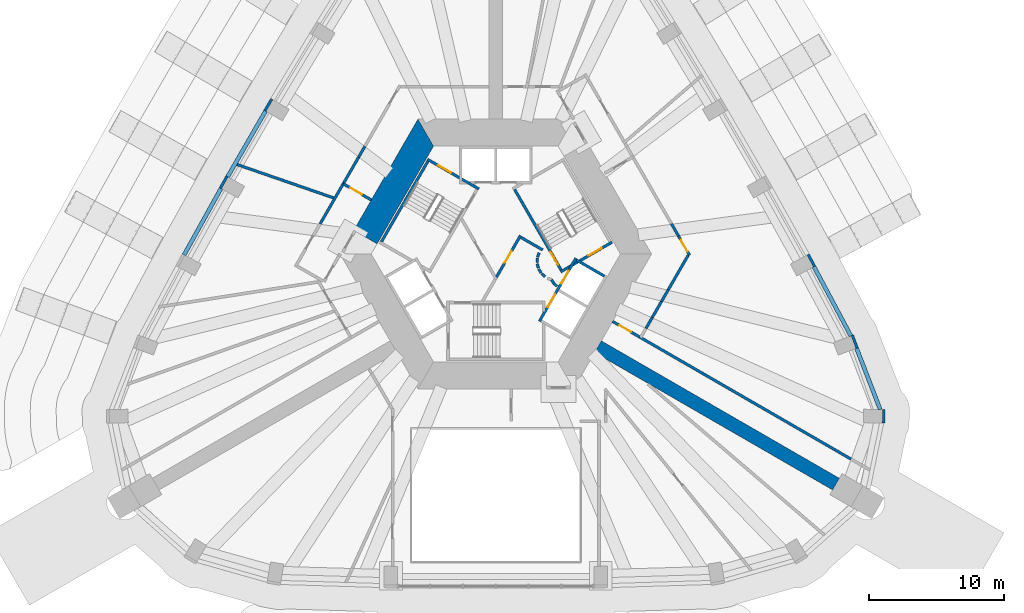
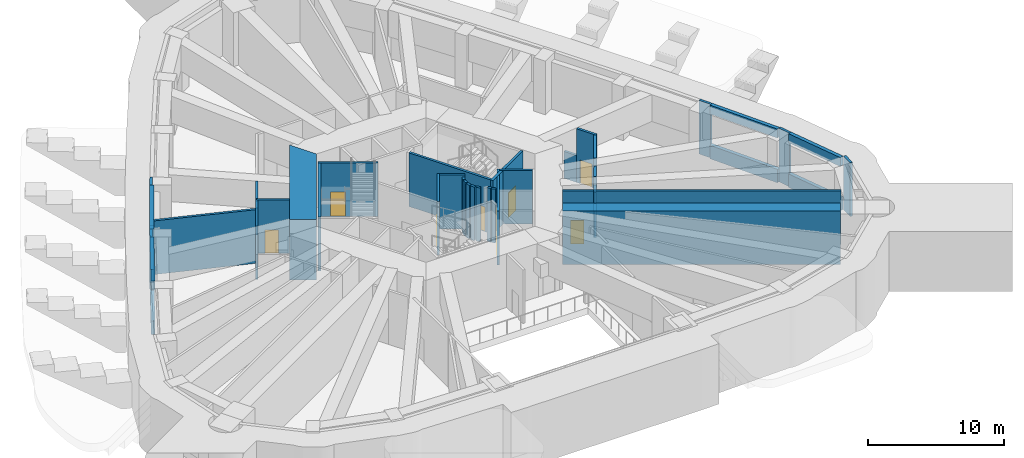
# One storey, part 6 of 16: 43 walls, 9 doors, 9 openings.
"""IFC4 building model written with IfcOpenShell, lengths in metres."""

from ifc_helpers import new_model, si_unit, direction, frame, frame_2d, origin, place, context, subcontext, project, spatial, polyline, rectangle, outline, extrude, material, layer, layer_set, type_object, element, fill, save


model = new_model("IFC4")

# Units and contexts
model_context = context("Model", 3, precision=1e-05, world=origin(), true_north=direction((0.0, 1.0)))
body_context = subcontext(model_context, "Body", "Model", "MODEL_VIEW")
ifc_project = project(units=[si_unit("LENGTHUNIT", "METRE"), si_unit("AREAUNIT", "SQUARE_METRE"), si_unit("VOLUMEUNIT", "CUBIC_METRE"), si_unit("PLANEANGLEUNIT", "RADIAN"), si_unit("MASSUNIT", "GRAM", prefix="KILO")], contexts=[model_context])

# Site, building, storey
site_placement = place(None, origin())
site = spatial("IfcSite", under=ifc_project, at=site_placement, CompositionType="ELEMENT")
building_placement = place(site_placement, origin())
building = spatial("IfcBuilding", under=site, at=building_placement, Name="Entoto Arch Interchange Tower", CompositionType="ELEMENT")
storey_placement = place(building_placement, frame((0.0, 0.0, 281.0)))
storey = spatial("IfcBuildingStorey", under=building, at=storey_placement, Name="L65", CompositionType="ELEMENT", Elevation=281.0)

# Wall
ifc_material_1 = material(Name="Concrete C40/50", Category="concrete")
ifc_layer_1 = layer(ifc_material_1, 2.0)
ifc_layer_set_1 = layer_set([ifc_layer_1], Name="Concrete C40/50")
wall_type_1 = type_object("IfcWallType", Name="Core wall 2000 C40/50", PredefinedType="SHEAR", material=ifc_layer_set_1)
wall_1_placement = place(storey_placement, frame((0.0, 0.0, -0.60009765625)))
element("IfcWall", 1, at=wall_1_placement, inside=storey, type_object=wall_type_1, Name="Core wall NW L65", PredefinedType="SHEAR", context=body_context, shape_type="SweptSolid", body=[
    extrude(outline(polyline([(-10.534912109375, 4.2529296875), (-8.802978515625, 3.2529296875), (-4.618896484375, 10.5), (-5.77392578125, 12.5), (-10.534912109375, 4.2529296875)])), origin(), (0.0, 0.0, 1.0), 5.400146484375),
])

# Wall, openings, doors
ifc_layer_2 = layer(ifc_material_1, 0.199951171875)
ifc_layer_set_2 = layer_set([ifc_layer_2], Name="Concrete C40/50")
wall_type_2 = type_object("IfcWallType", Name="LIFT SHAFT WALL 200", PredefinedType="STANDARD", material=ifc_layer_set_2)
wall_2_placement = place(storey_placement, frame((3.239990234375, -2.488037109375, 0.0), z_axis=(0.0, 0.0, 1.0), x_axis=(0.500034260056, 0.866005622828, 0.0)))
wall_2 = element("IfcWall", 2, at=wall_2_placement, inside=storey, type_object=wall_type_2, Name="Shaft wall SE1 front", PredefinedType="STANDARD", context=body_context, shape_type="SweptSolid", body=[
    extrude(rectangle(XDim=5.3994140625, YDim=0.199951171875, at=frame_2d((2.69970703125, 0.0))), origin(), (0.0, 0.0, 1.0), 4.800048828125),
])
opening_1_placement = place(wall_2_placement, frame((3.22509765625, 0.0, 0.0)))
opening_1 = element("IfcOpeningElement", 3, at=opening_1_placement, cuts=wall_2, Name="Opening LD-HR3-L65", PredefinedType="OPENING", context=body_context, shape_type="SweptSolid", body=[
    extrude(rectangle(XDim=1.10009765625, YDim=2.10009765625, at=frame_2d((0.550048828125, 1.050048828125))), frame((0.0, 0.10986328125, 0.0), z_axis=(0.0, -1.0, 0.0), x_axis=(1.0, 0.0, 0.0)), (0.0, 0.0, 1.0), 0.219970703125),
])
opening_2_placement = place(wall_2_placement, frame((1.22509765625, 0.0, 0.0)))
opening_2 = element("IfcOpeningElement", 4, at=opening_2_placement, cuts=wall_2, Name="Opening LD-FF1-L65", PredefinedType="OPENING", context=body_context, shape_type="SweptSolid", body=[
    extrude(rectangle(XDim=1.10009765625, YDim=2.10009765625, at=frame_2d((0.550048828125, 1.050048828125))), frame((0.0, 0.10986328125, 0.0), z_axis=(0.0, -1.0, 0.0), x_axis=(1.0, 0.0, 0.0)), (0.0, 0.0, 1.0), 0.219970703125),
])
ifc_material_2 = material(Name="Stainless steel 1.4301 panels", Category="steel")
door_type_1 = type_object("IfcDoorType", Name="LIFT LANDING DOOR LD1 1100x2100", OperationType="SLIDING_TO_LEFT", PredefinedType="DOOR", material=ifc_material_2)
door_1_placement = place(opening_1_placement, origin())
door_1 = element("IfcDoor", 5, at=door_1_placement, inside=storey, type_object=door_type_1, Name="Lift landing door HR3 L65", OperationType="SLIDING_TO_LEFT", OverallHeight=2.10009765625, OverallWidth=1.10009765625, PredefinedType="DOOR", context=body_context, shape_type="SweptSolid", body=[
    extrude(rectangle(XDim=1.10009765625, YDim=2.10009765625, at=frame_2d((0.550048828125, 1.050048828125))), frame((0.0, 0.02490234375, 0.0), z_axis=(0.0, -1.0, 0.0), x_axis=(1.0, 0.0, 0.0)), (0.0, 0.0, 1.0), 0.050048828125),
])
fill(opening_1, door_1)
door_2_placement = place(opening_2_placement, origin())
door_2 = element("IfcDoor", 6, at=door_2_placement, inside=storey, type_object=door_type_1, Name="Lift landing door FF1 L65", OperationType="SLIDING_TO_LEFT", OverallHeight=2.10009765625, OverallWidth=1.10009765625, PredefinedType="DOOR", context=body_context, shape_type="SweptSolid", body=[
    extrude(rectangle(XDim=1.10009765625, YDim=2.10009765625, at=frame_2d((0.550048828125, 1.050048828125))), frame((0.0, 0.02490234375, 0.0), z_axis=(0.0, -1.0, 0.0), x_axis=(1.0, 0.0, 0.0)), (0.0, 0.0, 1.0), 0.050048828125),
])
fill(opening_2, door_2)

# Walls
wall_3_placement = place(storey_placement, frame((5.97705078125, 2.052001953125, 0.0), z_axis=(0.0, 0.0, 1.0), x_axis=(0.865973769406, -0.500089422704, 0.0)))
element("IfcWall", 7, at=wall_3_placement, inside=storey, type_object=wall_type_2, Name="Shaft wall SE1 cross 3", PredefinedType="STANDARD", context=body_context, shape_type="SweptSolid", body=[
    extrude(rectangle(XDim=2.3994140625, YDim=0.199951171875, at=frame_2d((1.19970703125, 0.0))), origin(), (0.0, 0.0, 1.0), 4.800048828125),
])
ifc_layer_3 = layer(ifc_material_1, 1.0)
ifc_layer_set_3 = layer_set([ifc_layer_3], Name="Concrete C40/50")
wall_type_3 = type_object("IfcWallType", Name="Outrigger wall 1000 C40/50", PredefinedType="SHEAR", material=ifc_layer_set_3)
wall_4_placement = place(storey_placement, frame((7.577880859375, -4.375, 0.0), z_axis=(0.0, 0.0, 1.0), x_axis=(0.866020754303, -0.500008053052, 0.0)))
element("IfcWall", 8, at=wall_4_placement, inside=storey, type_object=wall_type_3, Name="Outrigger wall SE L65", PredefinedType="SHEAR", context=body_context, shape_type="SweptSolid", body=[
    extrude(rectangle(XDim=20.373779296875, YDim=1.0, at=frame_2d((10.18701171875, 0.0))), origin(), (0.0, 0.0, 1.0), 4.800048828125),
])
ifc_material_3 = material(Name="Gypsum board partition on steel studs", Category="steel")
ifc_layer_4 = layer(ifc_material_3, 0.199951171875)
ifc_layer_set_4 = layer_set([ifc_layer_4], Name="Gypsum board partition on steel studs")
wall_type_4 = type_object("IfcWallType", Name="PARTITION 200", PredefinedType="PARTITIONING", material=ifc_layer_set_4)
wall_5_placement = place(storey_placement, frame((1.865966796875, 3.73193359375, 0.0), z_axis=(0.0, 0.0, 1.0), x_axis=(0.866043361281, -0.499968895414, 0.0)))
element("IfcWall", 9, at=wall_5_placement, inside=storey, type_object=wall_type_4, Name="wall:L65:p002", PredefinedType="PARTITIONING", context=body_context, shape_type="SweptSolid", body=[
    extrude(rectangle(XDim=1.85791015625, YDim=0.199951171875, at=frame_2d((0.928955078125, 0.0))), origin(), (0.0, 0.0, 1.0), 4.800048828125),
])
wall_6_placement = place(storey_placement, frame((3.2080078125, 2.592041015625, 0.0), z_axis=(0.0, 0.0, 1.0), x_axis=(-0.337388820924, -0.941365382578, 0.0)))
element("IfcWall", 10, at=wall_6_placement, inside=storey, type_object=wall_type_4, Name="wall:L65:p003", PredefinedType="PARTITIONING", context=body_context, shape_type="SweptSolid", body=[
    extrude(rectangle(XDim=0.337890625, YDim=0.199951171875, at=frame_2d((0.1689453125, 0.0))), origin(), (0.0, 0.0, 1.0), 4.800048828125),
])
wall_7_placement = place(storey_placement, frame((3.0791015625, 2.198974609375, 0.0), z_axis=(0.0, 0.0, 1.0), x_axis=(-0.047771483479, -0.998858290933, 0.0)))
element("IfcWall", 11, at=wall_7_placement, inside=storey, type_object=wall_type_4, Name="wall:L65:p004", PredefinedType="PARTITIONING", context=body_context, shape_type="SweptSolid", body=[
    extrude(rectangle(XDim=0.33740234375, YDim=0.199951171875, at=frame_2d((0.168701171875, 0.0))), origin(), (0.0, 0.0, 1.0), 4.800048828125),
])
wall_8_placement = place(storey_placement, frame((3.070068359375, 1.785888671875, 0.0), z_axis=(0.0, 0.0, 1.0), x_axis=(0.242705583207, -0.970099994784, 0.0)))
element("IfcWall", 12, at=wall_8_placement, inside=storey, type_object=wall_type_4, Name="wall:L65:p005", PredefinedType="PARTITIONING", context=body_context, shape_type="SweptSolid", body=[
    extrude(rectangle(XDim=0.337890625, YDim=0.199951171875, at=frame_2d((0.1689453125, 0.0))), origin(), (0.0, 0.0, 1.0), 4.800048828125),
])
for number, where, z_axis, x_axis, name in (
    (13, (3.181884765625, 1.387939453125, 0.0), (0.0, 0.0, 1.0), (0.512474702713, -0.85870232274, 0.0), "wall:L65:p006"),
    (14, (3.404052734375, 1.0390625, 0.0), (0.0, 0.0, 1.0), (0.740267097712, -0.672312891476, 0.0), "wall:L65:p007"),
):
    element("IfcWall", number, at=place(storey_placement, frame(where, z_axis=z_axis, x_axis=x_axis)), inside=storey, type_object=wall_type_4, Name=name, PredefinedType="PARTITIONING", context=body_context, shape_type="SweptSolid", body=[
        extrude(rectangle(XDim=0.337646484375, YDim=0.199951171875, at=frame_2d((0.1689453125, 0.0))), origin(), (0.0, 0.0, 1.0), 4.800048828125),
    ])
wall_9_placement = place(storey_placement, frame((4.132080078125, 0.593017578125, 0.0), z_axis=(0.0, 0.0, 1.0), x_axis=(0.513561617048, -0.858052717201, 0.0)))
element("IfcWall", 15, at=wall_9_placement, inside=storey, type_object=wall_type_4, Name="wall:L65:p009", PredefinedType="PARTITIONING", context=body_context, shape_type="SweptSolid", body=[
    extrude(rectangle(XDim=0.3076171875, YDim=0.199951171875, at=frame_2d((0.15380859375, 0.0))), origin(), (0.0, 0.0, 1.0), 4.800048828125),
])
wall_10_placement = place(storey_placement, frame((4.301025390625, 0.31494140625, 0.0), z_axis=(0.0, 0.0, 1.0), x_axis=(0.741798017506, -0.670623367639, 0.0)))
element("IfcWall", 16, at=wall_10_placement, inside=storey, type_object=wall_type_4, Name="wall:L65:p010", PredefinedType="PARTITIONING", context=body_context, shape_type="SweptSolid", body=[
    extrude(rectangle(XDim=0.30859375, YDim=0.199951171875, at=frame_2d((0.154296875, 0.0))), origin(), (0.0, 0.0, 1.0), 4.800048828125),
])

# Wall, opening, door
wall_11_placement = place(storey_placement, frame((0.050048828125, 0.787109375, 0.0), z_axis=(0.0, 0.0, 1.0), x_axis=(0.499954076797, 0.866051915934, 0.0)))
wall_11 = element("IfcWall", 17, at=wall_11_placement, inside=storey, type_object=wall_type_4, Name="wall:L65:p011", PredefinedType="PARTITIONING", context=body_context, shape_type="SweptSolid", body=[
    extrude(rectangle(XDim=3.558349609375, YDim=0.199951171875, at=frame_2d((1.779296875, 0.0))), origin(), (0.0, 0.0, 1.0), 4.800048828125),
])
opening_3_placement = place(wall_11_placement, frame((1.22900390625, 0.0, 0.0)))
opening_3 = element("IfcOpeningElement", 18, at=opening_3_placement, cuts=wall_11, Name="Opening L65-D19", PredefinedType="OPENING", context=body_context, shape_type="SweptSolid", body=[
    extrude(rectangle(XDim=1.0, YDim=2.10009765625, at=frame_2d((0.5, 1.050048828125))), frame((0.0, 0.10986328125, 0.0), z_axis=(0.0, -1.0, 0.0), x_axis=(1.0, 0.0, 0.0)), (0.0, 0.0, 1.0), 0.219970703125),
])
ifc_material_4 = material(Name="Fire-rated Steel S235 door and frame", Category="steel")
door_type_2 = type_object("IfcDoorType", Name="DOOR FD-10 1000x2100", OperationType="SINGLE_SWING_LEFT", PredefinedType="DOOR", material=ifc_material_4)
door_3_placement = place(opening_3_placement, origin())
door_3 = element("IfcDoor", 19, at=door_3_placement, inside=storey, type_object=door_type_2, Name="door:L65:19", OperationType="SINGLE_SWING_RIGHT", OverallHeight=2.10009765625, OverallWidth=1.0, PredefinedType="DOOR", context=body_context, shape_type="SweptSolid", body=[
    extrude(rectangle(XDim=1.0, YDim=2.10009765625, at=frame_2d((0.5, 1.050048828125))), frame((0.0, 0.02490234375, 0.0), z_axis=(0.0, -1.0, 0.0), x_axis=(1.0, 0.0, 0.0)), (0.0, 0.0, 1.0), 0.050048828125),
])
fill(opening_3, door_3)

wall_12_placement = place(storey_placement, frame((10.652099609375, -3.64990234375, 0.0), z_axis=(0.0, 0.0, 1.0), x_axis=(-0.866079547155, 0.499906209203, 0.0)))
wall_12 = element("IfcWall", 20, at=wall_12_placement, inside=storey, type_object=wall_type_4, Name="wall:L65:p025", PredefinedType="PARTITIONING", context=body_context, shape_type="SweptSolid", body=[
    extrude(rectangle(XDim=2.30029296875, YDim=0.199951171875, at=frame_2d((1.150146484375, 0.0))), origin(), (0.0, 0.0, 1.0), 4.800048828125),
])
opening_4_placement = place(wall_12_placement, frame((0.720947265625, 0.0, 0.0)))
opening_4 = element("IfcOpeningElement", 21, at=opening_4_placement, cuts=wall_12, Name="Opening L65-D18", PredefinedType="OPENING", context=body_context, shape_type="SweptSolid", body=[
    extrude(rectangle(XDim=1.0, YDim=2.10009765625, at=frame_2d((0.5, 1.050048828125))), frame((0.0, 0.10986328125, 0.0), z_axis=(0.0, -1.0, 0.0), x_axis=(1.0, 0.0, 0.0)), (0.0, 0.0, 1.0), 0.219970703125),
])
ifc_material_5 = material(Name="Timber door leaf in Steel S235 frame", Category="steel")
door_type_3 = type_object("IfcDoorType", Name="DOOR DS-10 1000x2100", OperationType="SINGLE_SWING_LEFT", PredefinedType="DOOR", material=ifc_material_5)
door_4_placement = place(opening_4_placement, origin())
door_4 = element("IfcDoor", 22, at=door_4_placement, inside=storey, type_object=door_type_3, Name="door:L65:18", OperationType="SINGLE_SWING_LEFT", OverallHeight=2.10009765625, OverallWidth=1.0, PredefinedType="DOOR", context=body_context, shape_type="SweptSolid", body=[
    extrude(rectangle(XDim=1.0, YDim=2.10009765625, at=frame_2d((0.5, 1.050048828125))), frame((0.0, 0.02490234375, 0.0), z_axis=(0.0, -1.0, 0.0), x_axis=(1.0, 0.0, 0.0)), (0.0, 0.0, 1.0), 0.050048828125),
])
fill(opening_4, door_4)

# Walls
wall_13_placement = place(storey_placement, frame((10.652099609375, -3.64990234375, 0.0), z_axis=(0.0, 0.0, 1.0), x_axis=(0.86603131093, -0.499989768384, 0.0)))
element("IfcWall", 23, at=wall_13_placement, inside=storey, type_object=wall_type_4, Name="wall:L65:p026", PredefinedType="PARTITIONING", context=body_context, shape_type="SweptSolid", body=[
    extrude(rectangle(XDim=18.1044921875, YDim=0.199951171875, at=frame_2d((9.05224609375, 0.0))), origin(), (0.0, 0.0, 1.0), 4.800048828125),
])
wall_14_placement = place(storey_placement, frame((14.26806640625, 2.4130859375, 0.0), z_axis=(0.0, 0.0, 1.0), x_axis=(-0.500037910135, -0.866003515251, 0.0)))
element("IfcWall", 24, at=wall_14_placement, inside=storey, type_object=wall_type_4, Name="wall:L65:p033", PredefinedType="PARTITIONING", context=body_context, shape_type="SweptSolid", body=[
    extrude(rectangle(XDim=2.969970703125, YDim=0.199951171875, at=frame_2d((1.48486328125, 0.0))), origin(), (0.0, 0.0, 1.0), 4.800048828125),
])

# Wall, opening, door
wall_15_placement = place(storey_placement, frame((-11.31201171875, 7.70703125, 0.0), z_axis=(0.0, 0.0, 1.0), x_axis=(0.865999212041, -0.500045362686, 0.0)))
wall_15 = element("IfcWall", 25, at=wall_15_placement, inside=storey, type_object=wall_type_4, Name="wall:L65:p042", PredefinedType="PARTITIONING", context=body_context, shape_type="SweptSolid", body=[
    extrude(rectangle(XDim=2.399658203125, YDim=0.199951171875, at=frame_2d((1.19970703125, 0.0))), origin(), (0.0, 0.0, 1.0), 4.800048828125),
])
opening_5_placement = place(wall_15_placement, frame((0.60009765625, 0.0, 0.0)))
opening_5 = element("IfcOpeningElement", 26, at=opening_5_placement, cuts=wall_15, Name="Opening L65-D12", PredefinedType="OPENING", context=body_context, shape_type="SweptSolid", body=[
    extrude(rectangle(XDim=1.0, YDim=2.10009765625, at=frame_2d((0.5, 1.050048828125))), frame((0.0, 0.10986328125, 0.0), z_axis=(0.0, -1.0, 0.0), x_axis=(1.0, 0.0, 0.0)), (0.0, 0.0, 1.0), 0.219970703125),
])
door_5_placement = place(opening_5_placement, origin())
door_5 = element("IfcDoor", 27, at=door_5_placement, inside=storey, type_object=door_type_2, Name="door:L65:12", OperationType="SINGLE_SWING_LEFT", OverallHeight=2.10009765625, OverallWidth=1.0, PredefinedType="DOOR", context=body_context, shape_type="SweptSolid", body=[
    extrude(rectangle(XDim=1.0, YDim=2.10009765625, at=frame_2d((0.5, 1.050048828125))), frame((0.0, 0.02490234375, 0.0), z_axis=(0.0, -1.0, 0.0), x_axis=(1.0, 0.0, 0.0)), (0.0, 0.0, 1.0), 0.050048828125),
])
fill(opening_5, door_5)

# Walls
wall_16_placement = place(storey_placement, frame((-11.261962890625, 7.7939453125, 0.0), z_axis=(0.0, 0.0, 1.0), x_axis=(0.500049485622, 0.865996831362, 0.0)))
element("IfcWall", 28, at=wall_16_placement, inside=storey, type_object=wall_type_4, Name="wall:L65:p047", PredefinedType="PARTITIONING", context=body_context, shape_type="SweptSolid", body=[
    extrude(rectangle(XDim=2.175537109375, YDim=0.199951171875, at=frame_2d((1.087890625, 0.0))), origin(), (0.0, 0.0, 1.0), 4.800048828125),
])
wall_17_placement = place(storey_placement, frame((-19.18896484375, 9.135986328125, 0.0), z_axis=(0.0, 0.0, 1.0), x_axis=(0.94508965871, -0.326811164129, 0.0)))
element("IfcWall", 29, at=wall_17_placement, inside=storey, type_object=wall_type_4, Name="wall:L65:p051", PredefinedType="PARTITIONING", context=body_context, shape_type="SweptSolid", body=[
    extrude(rectangle(XDim=7.67431640625, YDim=0.199951171875, at=frame_2d((3.837158203125, 0.0))), origin(), (0.0, 0.0, 1.0), 4.800048828125),
])
wall_18_placement = place(storey_placement, frame((12.782958984375, -0.158935546875, 0.0), z_axis=(0.0, 0.0, 1.0), x_axis=(-0.499517125168, -0.866304012263, 0.0)))
element("IfcWall", 30, at=wall_18_placement, inside=storey, type_object=wall_type_4, Name="wall:L65:p033", PredefinedType="PARTITIONING", context=body_context, shape_type="SweptSolid", body=[
    extrude(rectangle(XDim=0.9951171875, YDim=0.199951171875, at=frame_2d((0.49755859375, 0.0))), origin(), (0.0, 0.0, 1.0), 2.39990234375),
])
wall_19_placement = place(storey_placement, frame((12.285888671875, -1.02099609375, 0.0), z_axis=(0.0, 0.0, 1.0), x_axis=(-0.500348091332, -0.865824339864, 0.0)))
element("IfcWall", 31, at=wall_19_placement, inside=storey, type_object=wall_type_4, Name="wall:L65:p033", PredefinedType="PARTITIONING", context=body_context, shape_type="SweptSolid", body=[
    extrude(rectangle(XDim=1.384765625, YDim=0.199951171875, at=frame_2d((0.6923828125, 0.0))), origin(), (0.0, 0.0, 1.0), 4.800048828125),
])
wall_20_placement = place(storey_placement, frame((11.593017578125, -2.219970703125, 0.0), z_axis=(0.0, 0.0, 1.0), x_axis=(-0.499547203848, -0.866286667984, 0.0)))
element("IfcWall", 32, at=wall_20_placement, inside=storey, type_object=wall_type_4, Name="wall:L65:p033", PredefinedType="PARTITIONING", context=body_context, shape_type="SweptSolid", body=[
    extrude(rectangle(XDim=0.924560546875, YDim=0.199951171875, at=frame_2d((0.46240234375, 0.0))), origin(), (0.0, 0.0, 1.0), 2.39990234375),
])
wall_21_placement = place(storey_placement, frame((13.02490234375, 4.739990234375, 0.0), z_axis=(0.0, 0.0, 1.0), x_axis=(0.499548844452, -0.866285721922, 0.0)))
element("IfcWall", 33, at=wall_21_placement, inside=storey, type_object=wall_type_4, Name="wall:L65:p034", PredefinedType="PARTITIONING", context=body_context, shape_type="SweptSolid", body=[
    extrude(rectangle(XDim=1.05517578125, YDim=0.199951171875, at=frame_2d((0.527587890625, 0.0))), origin(), (0.0, 0.0, 1.0), 2.39990234375),
])

# Wall, opening, door
wall_22_placement = place(storey_placement, frame((13.552001953125, 3.825927734375, 0.0), z_axis=(0.0, 0.0, 1.0), x_axis=(0.500098085174, -0.865968766876, 0.0)))
wall_22 = element("IfcWall", 34, at=wall_22_placement, inside=storey, type_object=wall_type_4, Name="wall:L65:p034", PredefinedType="PARTITIONING", context=body_context, shape_type="SweptSolid", body=[
    extrude(rectangle(XDim=1.631591796875, YDim=0.199951171875, at=frame_2d((0.81591796875, 0.0))), origin(), (0.0, 0.0, 1.0), 4.800048828125),
])
opening_6_placement = place(wall_22_placement, frame((0.3310546875, 0.0, 0.0)))
opening_6 = element("IfcOpeningElement", 35, at=opening_6_placement, cuts=wall_22, Name="Opening L65-D09", PredefinedType="OPENING", context=body_context, shape_type="SweptSolid", body=[
    extrude(rectangle(XDim=1.0, YDim=2.10009765625, at=frame_2d((0.5, 1.050048828125))), frame((0.0, 0.10986328125, 0.0), z_axis=(0.0, -1.0, 0.0), x_axis=(1.0, 0.0, 0.0)), (0.0, 0.0, 1.0), 0.219970703125),
])
door_6_placement = place(opening_6_placement, origin())
door_6 = element("IfcDoor", 36, at=door_6_placement, inside=storey, type_object=door_type_2, Name="door:L65:09", OperationType="SINGLE_SWING_RIGHT", OverallHeight=2.10009765625, OverallWidth=1.0, PredefinedType="DOOR", context=body_context, shape_type="SweptSolid", body=[
    extrude(rectangle(XDim=1.0, YDim=2.10009765625, at=frame_2d((0.5, 1.050048828125))), frame((0.0, 0.02490234375, 0.0), z_axis=(0.0, -1.0, 0.0), x_axis=(1.0, 0.0, 0.0)), (0.0, 0.0, 1.0), 0.050048828125),
])
fill(opening_6, door_6)

# Walls
wall_23_placement = place(storey_placement, frame((-13.02490234375, 4.739990234375, 0.0), z_axis=(0.0, 0.0, 1.0), x_axis=(0.499944203502, 0.866057615511, 0.0)))
element("IfcWall", 37, at=wall_23_placement, inside=storey, type_object=wall_type_4, Name="wall:L65:p045", PredefinedType="PARTITIONING", context=body_context, shape_type="SweptSolid", body=[
    extrude(rectangle(XDim=3.5263671875, YDim=0.199951171875, at=frame_2d((1.76318359375, 0.0))), origin(), (0.0, 0.0, 1.0), 4.800048828125),
])
wall_24_placement = place(storey_placement, frame((-10.174072265625, 9.677978515625, 0.0), z_axis=(0.0, 0.0, 1.0), x_axis=(0.49960161538, 0.866255289109, 0.0)))
element("IfcWall", 38, at=wall_24_placement, inside=storey, type_object=wall_type_4, Name="wall:L65:p047", PredefinedType="PARTITIONING", context=body_context, shape_type="SweptSolid", body=[
    extrude(rectangle(XDim=0.932861328125, YDim=0.199951171875, at=frame_2d((0.46630859375, 0.0))), origin(), (0.0, 0.0, 1.0), 2.39990234375),
])
ifc_material_6 = material(Name="Board-marked precast concrete C50/60", Category="concrete")
ifc_layer_5 = layer(ifc_material_6, 0.199951171875)
ifc_layer_set_5 = layer_set([ifc_layer_5], Name="Board-marked precast concrete C50/60")
wall_type_5 = type_object("IfcWallType", Name="PRECAST FRAME WALL 200", PredefinedType="STANDARD", material=ifc_layer_set_5)
wall_25_placement = place(storey_placement, frame((26.79296875, -4.47705078125, 0.0), z_axis=(0.0, 0.0, 1.0), x_axis=(-0.346892928577, 0.937904737222, 0.0)))
element("IfcWall", 39, at=wall_25_placement, inside=storey, type_object=wall_type_5, Name="Frame pier NE01 L65", PredefinedType="STANDARD", context=body_context, shape_type="SweptSolid", body=[
    extrude(rectangle(XDim=1.0, YDim=0.199951171875, at=frame_2d((0.5, 0.0))), origin(), (0.0, 0.0, 1.0), 4.800048828125),
])
wall_26_placement = place(storey_placement, frame((23.634033203125, 1.587890625, 0.0), z_axis=(0.0, 0.0, 1.0), x_axis=(-0.473852444207, 0.880604259085, 0.0)))
element("IfcWall", 40, at=wall_26_placement, inside=storey, type_object=wall_type_5, Name="Frame pier NE02 L65", PredefinedType="STANDARD", context=body_context, shape_type="SweptSolid", body=[
    extrude(rectangle(XDim=1.00048828125, YDim=0.199951171875, at=frame_2d((0.500244140625, 0.0))), origin(), (0.0, 0.0, 1.0), 4.800048828125),
])
wall_27_placement = place(storey_placement, frame((-16.610107421875, 13.993896484375, 0.0), z_axis=(0.0, 0.0, 1.0), x_axis=(-0.508087253435, -0.86130560366, 0.0)))
element("IfcWall", 41, at=wall_27_placement, inside=storey, type_object=wall_type_5, Name="Frame pier NW03 L65", PredefinedType="STANDARD", context=body_context, shape_type="SweptSolid", body=[
    extrude(rectangle(XDim=0.99951171875, YDim=0.199951171875, at=frame_2d((0.499755859375, 0.0))), origin(), (0.0, 0.0, 1.0), 4.800048828125),
])
wall_28_placement = place(storey_placement, frame((-19.931884765625, 8.258056640625, 0.0), z_axis=(0.0, 0.0, 1.0), x_axis=(-0.491928603027, -0.870635543453, 0.0)))
element("IfcWall", 42, at=wall_28_placement, inside=storey, type_object=wall_type_5, Name="Frame pier NW04 L65", PredefinedType="STANDARD", context=body_context, shape_type="SweptSolid", body=[
    extrude(rectangle(XDim=1.00048828125, YDim=0.199951171875, at=frame_2d((0.500244140625, 0.0))), origin(), (0.0, 0.0, 1.0), 4.800048828125),
])
wall_29_placement = place(storey_placement, frame((28.7529296875, -10.04296875, 0.0), z_axis=(0.0, 0.0, 1.0), x_axis=(0.024186470916, 0.999707464524, 0.0)))
element("IfcWall", 43, at=wall_29_placement, inside=storey, type_object=wall_type_5, Name="Frame pier SE3 L65", PredefinedType="STANDARD", context=body_context, shape_type="SweptSolid", body=[
    extrude(rectangle(XDim=0.999267578125, YDim=0.199951171875, at=frame_2d((0.49951171875, 0.0))), origin(), (0.0, 0.0, 1.0), 4.800048828125),
])
ifc_layer_6 = layer(ifc_material_6, 0.300048828125)
ifc_layer_set_6 = layer_set([ifc_layer_6], Name="Board-marked precast concrete C50/60")
wall_type_6 = type_object("IfcWallType", Name="PRECAST FRAME WALL 300", PredefinedType="STANDARD", material=ifc_layer_set_6)
wall_30_placement = place(storey_placement, frame((28.508056640625, -9.0380859375, 0.0), z_axis=(0.0, 0.0, 1.0), x_axis=(-0.360267544186, 0.932849021335, 0.0)))
element("IfcWall", 44, at=wall_30_placement, inside=storey, type_object=wall_type_6, Name="Frame sill wall SE-04 L65", PredefinedType="STANDARD", context=body_context, shape_type="SweptSolid", body=[
    extrude(rectangle(XDim=4.87451171875, YDim=0.300048828125, at=frame_2d((2.437255859375, 0.0))), origin(), (0.0, 0.0, 1.0), 1.199951171875),
])
wall_31_placement = place(storey_placement, frame((28.508056640625, -9.0380859375, 4.0), z_axis=(0.0, 0.0, 1.0), x_axis=(-0.360267544186, 0.932849021335, 0.0)))
element("IfcWall", 45, at=wall_31_placement, inside=storey, type_object=wall_type_6, Name="Frame head wall SE-04 L65", PredefinedType="STANDARD", context=body_context, shape_type="SweptSolid", body=[
    extrude(rectangle(XDim=4.87451171875, YDim=0.300048828125, at=frame_2d((2.437255859375, 0.0))), origin(), (0.0, 0.0, 1.0), 0.800048828125),
])
wall_32_placement = place(storey_placement, frame((26.333984375, -3.5810546875, 0.0), z_axis=(0.0, 0.0, 1.0), x_axis=(-0.470796778214, 0.882241686628, 0.0)))
element("IfcWall", 46, at=wall_32_placement, inside=storey, type_object=wall_type_6, Name="Frame sill wall NE-01 L65", PredefinedType="STANDARD", context=body_context, shape_type="SweptSolid", body=[
    extrude(rectangle(XDim=5.832763671875, YDim=0.300048828125, at=frame_2d((2.91650390625, 0.0))), origin(), (0.0, 0.0, 1.0), 1.199951171875),
])
wall_33_placement = place(storey_placement, frame((26.333984375, -3.5810546875, 4.0), z_axis=(0.0, 0.0, 1.0), x_axis=(-0.470796778214, 0.882241686628, 0.0)))
element("IfcWall", 47, at=wall_33_placement, inside=storey, type_object=wall_type_6, Name="Frame head wall NE-01 L65", PredefinedType="STANDARD", context=body_context, shape_type="SweptSolid", body=[
    extrude(rectangle(XDim=5.832763671875, YDim=0.300048828125, at=frame_2d((2.91650390625, 0.0))), origin(), (0.0, 0.0, 1.0), 0.800048828125),
])
wall_34_placement = place(storey_placement, frame((-17.070068359375, 13.10595703125, 0.0), z_axis=(0.0, 0.0, 1.0), x_axis=(-0.49997269499, -0.866041167766, 0.0)))
element("IfcWall", 48, at=wall_34_placement, inside=storey, type_object=wall_type_6, Name="Frame sill wall NW-03 L65", PredefinedType="STANDARD", context=body_context, shape_type="SweptSolid", body=[
    extrude(rectangle(XDim=5.630126953125, YDim=0.300048828125, at=frame_2d((2.81494140625, 0.0))), origin(), (0.0, 0.0, 1.0), 1.199951171875),
])
wall_35_placement = place(storey_placement, frame((-17.070068359375, 13.10595703125, 4.0), z_axis=(0.0, 0.0, 1.0), x_axis=(-0.49997269499, -0.866041167766, 0.0)))
element("IfcWall", 49, at=wall_35_placement, inside=storey, type_object=wall_type_6, Name="Frame head wall NW-03 L65", PredefinedType="STANDARD", context=body_context, shape_type="SweptSolid", body=[
    extrude(rectangle(XDim=5.630126953125, YDim=0.300048828125, at=frame_2d((2.81494140625, 0.0))), origin(), (0.0, 0.0, 1.0), 0.800048828125),
])
wall_36_placement = place(storey_placement, frame((-20.376953125, 7.362060546875, 0.0), z_axis=(0.0, 0.0, 1.0), x_axis=(-0.485665023555, -0.874145002214, 0.0)))
element("IfcWall", 50, at=wall_36_placement, inside=storey, type_object=wall_type_6, Name="Frame sill wall NW-04 L65", PredefinedType="STANDARD", context=body_context, shape_type="SweptSolid", body=[
    extrude(rectangle(XDim=5.629638671875, YDim=0.300048828125, at=frame_2d((2.81494140625, 0.0))), origin(), (0.0, 0.0, 1.0), 1.199951171875),
])
wall_37_placement = place(storey_placement, frame((-20.376953125, 7.362060546875, 4.0), z_axis=(0.0, 0.0, 1.0), x_axis=(-0.485665023555, -0.874145002214, 0.0)))
element("IfcWall", 51, at=wall_37_placement, inside=storey, type_object=wall_type_6, Name="Frame head wall NW-04 L65", PredefinedType="STANDARD", context=body_context, shape_type="SweptSolid", body=[
    extrude(rectangle(XDim=5.629638671875, YDim=0.300048828125, at=frame_2d((2.81494140625, 0.0))), origin(), (0.0, 0.0, 1.0), 0.800048828125),
])

# Wall, opening, door
ifc_layer_7 = layer(ifc_material_1, 0.199951171875)
ifc_layer_set_7 = layer_set([ifc_layer_7], Name="Concrete C40/50")
wall_type_7 = type_object("IfcWallType", Name="STAIR ENCLOSURE WALL 200", PredefinedType="STANDARD", material=ifc_layer_set_7)
wall_38_placement = place(storey_placement, frame((4.805908203125, 1.176025390625, 0.0), z_axis=(0.0, 0.0, 1.0), x_axis=(0.866059941101, 0.499940174841, 0.0)))
wall_38 = element("IfcWall", 52, at=wall_38_placement, inside=storey, type_object=wall_type_7, Name="Stair wall ST-NE near", PredefinedType="STANDARD", context=body_context, shape_type="SweptSolid", body=[
    extrude(rectangle(XDim=4.400390625, YDim=0.199951171875, at=frame_2d((2.2001953125, 0.0))), origin(), (0.0, 0.0, 1.0), 4.800048828125),
])
opening_7_placement = place(wall_38_placement, frame((2.39990234375, 0.0, 0.0)))
opening_7 = element("IfcOpeningElement", 53, at=opening_7_placement, cuts=wall_38, Name="Opening SD-ST-NE-L65-E", PredefinedType="OPENING", context=body_context, shape_type="SweptSolid", body=[
    extrude(rectangle(XDim=1.10009765625, YDim=2.199951171875, at=frame_2d((0.550048828125, 1.10009765625))), frame((0.0, 0.10986328125, 0.0), z_axis=(0.0, -1.0, 0.0), x_axis=(1.0, 0.0, 0.0)), (0.0, 0.0, 1.0), 0.219970703125),
])
ifc_material_7 = material(Name="Steel S235", Category="steel")
door_type_4 = type_object("IfcDoorType", Name="STAIR DOOR SD1 1100x2200", OperationType="SINGLE_SWING_LEFT", PredefinedType="DOOR", material=ifc_material_7)
door_7_placement = place(opening_7_placement, origin())
door_7 = element("IfcDoor", 54, at=door_7_placement, inside=storey, type_object=door_type_4, Name="Stair door ST-NE L65 end", OperationType="SINGLE_SWING_LEFT", OverallHeight=2.199951171875, OverallWidth=1.10009765625, PredefinedType="DOOR", context=body_context, shape_type="SweptSolid", body=[
    extrude(rectangle(XDim=1.10009765625, YDim=2.199951171875, at=frame_2d((0.550048828125, 1.10009765625))), frame((0.0, 0.02490234375, 0.0), z_axis=(0.0, -1.0, 0.0), x_axis=(1.0, 0.0, 0.0)), (0.0, 0.0, 1.0), 0.050048828125),
])
fill(opening_7, door_7)

wall_39_placement = place(storey_placement, frame((4.843017578125, 1.31201171875, 0.0), z_axis=(0.0, 0.0, 1.0), x_axis=(-0.499963383562, 0.866046543262, 0.0)))
wall_39 = element("IfcWall", 55, at=wall_39_placement, inside=storey, type_object=wall_type_7, Name="Stair wall ST-NE hall", PredefinedType="STANDARD", context=body_context, shape_type="SweptSolid", body=[
    extrude(rectangle(XDim=6.900390625, YDim=0.199951171875, at=frame_2d((3.4501953125, 0.0))), origin(), (0.0, 0.0, 1.0), 4.800048828125),
])
opening_8_placement = place(wall_39_placement, frame((0.449951171875, 0.0, 0.0)))
opening_8 = element("IfcOpeningElement", 56, at=opening_8_placement, cuts=wall_39, Name="Opening SD-ST-NE-L65", PredefinedType="OPENING", context=body_context, shape_type="SweptSolid", body=[
    extrude(rectangle(XDim=1.10009765625, YDim=2.199951171875, at=frame_2d((0.550048828125, 1.10009765625))), frame((0.0, 0.10986328125, 0.0), z_axis=(0.0, -1.0, 0.0), x_axis=(1.0, 0.0, 0.0)), (0.0, 0.0, 1.0), 0.219970703125),
])
door_8_placement = place(opening_8_placement, origin())
door_8 = element("IfcDoor", 57, at=door_8_placement, inside=storey, type_object=door_type_4, Name="Stair door ST-NE L65", OperationType="SINGLE_SWING_LEFT", OverallHeight=2.199951171875, OverallWidth=1.10009765625, PredefinedType="DOOR", context=body_context, shape_type="SweptSolid", body=[
    extrude(rectangle(XDim=1.10009765625, YDim=2.199951171875, at=frame_2d((0.550048828125, 1.10009765625))), frame((0.0, 0.02490234375, 0.0), z_axis=(0.0, -1.0, 0.0), x_axis=(1.0, 0.0, 0.0)), (0.0, 0.0, 1.0), 0.050048828125),
])
fill(opening_8, door_8)

wall_40_placement = place(storey_placement, frame((-1.256103515625, 7.323974609375, 0.0), z_axis=(0.0, 0.0, 1.0), x_axis=(-0.866046073146, 0.499964197906, 0.0)))
wall_40 = element("IfcWall", 58, at=wall_40_placement, inside=storey, type_object=wall_type_7, Name="Stair wall ST-NW near", PredefinedType="STANDARD", context=body_context, shape_type="SweptSolid", body=[
    extrude(rectangle(XDim=4.400146484375, YDim=0.199951171875, at=frame_2d((2.2001953125, 0.0))), origin(), (0.0, 0.0, 1.0), 4.800048828125),
])
opening_9_placement = place(wall_40_placement, frame((2.39990234375, 0.0, 0.0)))
opening_9 = element("IfcOpeningElement", 59, at=opening_9_placement, cuts=wall_40, Name="Opening SD-ST-NW-L65-E", PredefinedType="OPENING", context=body_context, shape_type="SweptSolid", body=[
    extrude(rectangle(XDim=1.10009765625, YDim=2.199951171875, at=frame_2d((0.550048828125, 1.10009765625))), frame((0.0, 0.10986328125, 0.0), z_axis=(0.0, -1.0, 0.0), x_axis=(1.0, 0.0, 0.0)), (0.0, 0.0, 1.0), 0.219970703125),
])
door_9_placement = place(opening_9_placement, origin())
door_9 = element("IfcDoor", 60, at=door_9_placement, inside=storey, type_object=door_type_4, Name="Stair door ST-NW L65 end", OperationType="SINGLE_SWING_LEFT", OverallHeight=2.199951171875, OverallWidth=1.10009765625, PredefinedType="DOOR", context=body_context, shape_type="SweptSolid", body=[
    extrude(rectangle(XDim=1.10009765625, YDim=2.199951171875, at=frame_2d((0.550048828125, 1.10009765625))), frame((0.0, 0.02490234375, 0.0), z_axis=(0.0, -1.0, 0.0), x_axis=(1.0, 0.0, 0.0)), (0.0, 0.0, 1.0), 0.050048828125),
])
fill(opening_9, door_9)

# Wall
wall_41_placement = place(storey_placement, frame((-5.030029296875, 9.387939453125, 0.0), z_axis=(0.0, 0.0, 1.0), x_axis=(-0.499978703459, -0.866037698999, 0.0)))
element("IfcWall", 61, at=wall_41_placement, inside=storey, type_object=wall_type_7, Name="Stair wall ST-NW back", PredefinedType="STANDARD", context=body_context, shape_type="SweptSolid", body=[
    extrude(rectangle(XDim=6.900146484375, YDim=0.199951171875, at=frame_2d((3.4501953125, 0.0))), origin(), (0.0, 0.0, 1.0), 4.800048828125),
])

save(model, "model.ifc")
